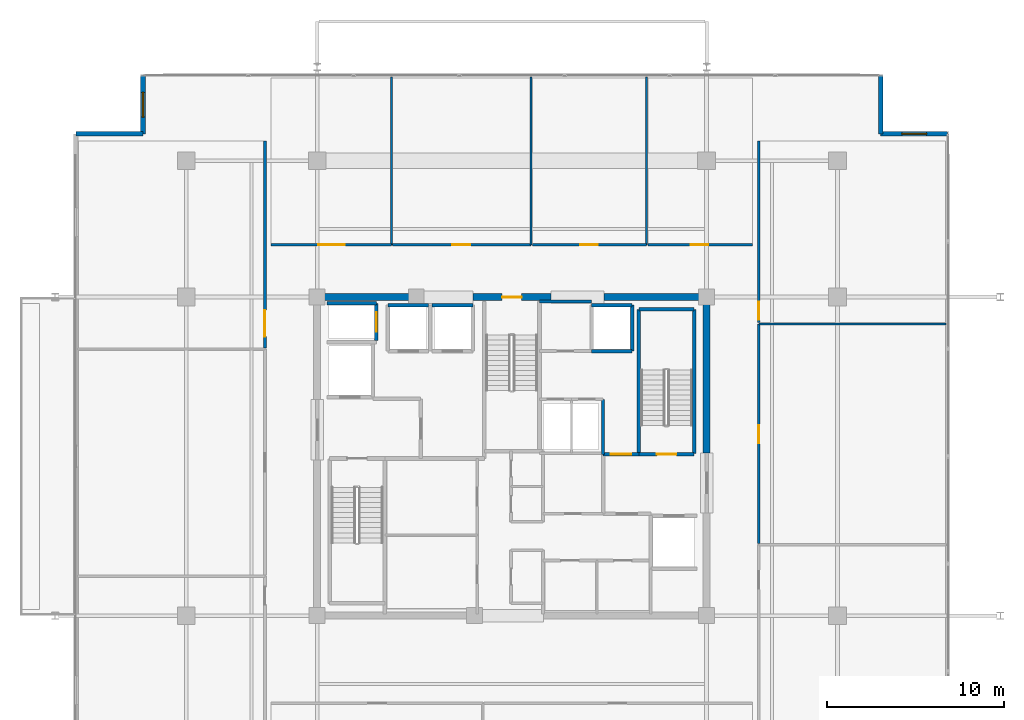
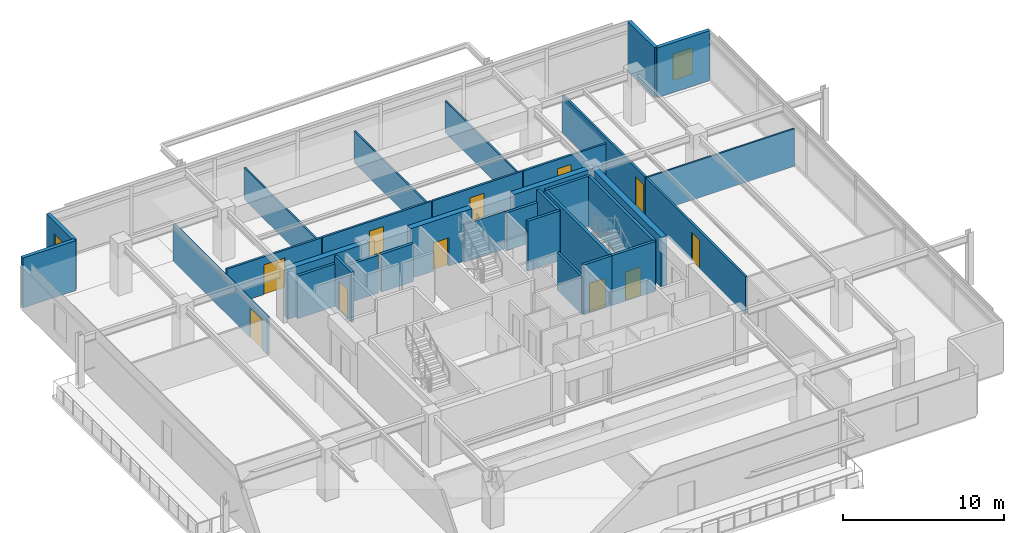
# One storey, part 16 of 21: 33 walls, 11 doors, 2 windows, 13 openings.
"""IFC4 building model written with IfcOpenShell, lengths in metres."""

from ifc_helpers import new_model, si_unit, direction, frame, frame_2d, origin, place, context, subcontext, project, spatial, rectangle, extrude, material, layer, layer_set, type_object, element, fill, save


model = new_model("IFC4")

# Units and contexts
model_context = context("Model", 3, precision=1e-05, world=origin(), true_north=direction((0.0, 1.0)))
body_context = subcontext(model_context, "Body", "Model", "MODEL_VIEW")
ifc_project = project(units=[si_unit("LENGTHUNIT", "METRE"), si_unit("AREAUNIT", "SQUARE_METRE"), si_unit("VOLUMEUNIT", "CUBIC_METRE"), si_unit("PLANEANGLEUNIT", "RADIAN"), si_unit("MASSUNIT", "GRAM", prefix="KILO")], contexts=[model_context])

# Site, building, storey
site_placement = place(None, origin())
site = spatial("IfcSite", under=ifc_project, at=site_placement, CompositionType="ELEMENT")
building_placement = place(site_placement, origin())
building = spatial("IfcBuilding", under=site, at=building_placement, Name="Kovane Verandah Tower", CompositionType="ELEMENT")
storey_placement = place(building_placement, frame((0.0, 0.0, 314.800048828125)))
storey = spatial("IfcBuildingStorey", under=building, at=storey_placement, Name="L73", CompositionType="ELEMENT", Elevation=314.800048828125)

# Walls
ifc_material_1 = material(Name="Fire-Rated Gypsum Stud Partition", Category="gypsum")
ifc_layer_1 = layer(ifc_material_1, 0.14990234375)
ifc_layer_set_1 = layer_set([ifc_layer_1], Name="Fire-Rated Gypsum Stud Partition")
wall_type_1 = type_object("IfcWallType", Name="WL-COR-150", PredefinedType="PARTITIONING", material=ifc_layer_set_1)
wall_1_placement = place(storey_placement, frame((45.14990234375, 27.6201171875, 0.0), z_axis=(0.0, 0.0, 1.0), x_axis=(0.0, 1.0, 0.0)))
element("IfcWall", 1, at=wall_1_placement, inside=storey, type_object=wall_type_1, Name="L73 East Core Service Riser East Wall", PredefinedType="PARTITIONING", context=body_context, shape_type="SweptSolid", body=[
    extrude(rectangle(XDim=3.099853515625, YDim=0.14990234375, at=frame_2d((1.5498046875, 0.0))), origin(), (0.0, 0.0, 1.0), 2.849853515625),
])
wall_2_placement = place(storey_placement, frame((41.56005859375, 36.25, 0.0), z_axis=(0.0, 0.0, 1.0), x_axis=(1.0, 0.0, 0.0)))
element("IfcWall", 2, at=wall_2_placement, inside=storey, type_object=wall_type_1, Name="L73 Sky Telecom Riser North Wall", PredefinedType="PARTITIONING", context=body_context, shape_type="SweptSolid", body=[
    extrude(rectangle(XDim=2.93994140625, YDim=0.14990234375, at=frame_2d((1.469970703125, 0.0))), origin(), (0.0, 0.0, 1.0), 2.849853515625),
])

# Wall, opening, door
wall_3_placement = place(storey_placement, frame((26.39990234375, 39.449951171875, 0.0), z_axis=(0.0, 0.0, 1.0), x_axis=(1.0, 0.0, 0.0)))
wall_3 = element("IfcWall", 3, at=wall_3_placement, inside=storey, type_object=wall_type_1, Name="L73 Client Boardroom N1 Corridor Partition", PredefinedType="PARTITIONING", context=body_context, shape_type="SweptSolid", body=[
    extrude(rectangle(XDim=6.800048828125, YDim=0.14990234375, at=frame_2d((3.39990234375, 0.0))), origin(), (0.0, 0.0, 1.0), 2.849853515625),
])
opening_1_placement = place(wall_3_placement, frame((2.6650390625, 0.0, 0.0)))
opening_1 = element("IfcOpeningElement", 4, at=opening_1_placement, cuts=wall_3, Name="Opening DR-L73-022", PredefinedType="OPENING", context=body_context, shape_type="SweptSolid", body=[
    extrude(rectangle(XDim=1.5, YDim=2.25, at=frame_2d((0.75, 1.125))), frame((0.0, 0.074951171875, 0.0), z_axis=(0.0, -1.0, 0.0), x_axis=(1.0, 0.0, 0.0)), (0.0, 0.0, 1.0), 0.14990234375),
])
ifc_material_2 = material(Name="Glazed Timber Fire-Rated Double Door", Category="wood")
door_type_1 = type_object("IfcDoorType", Name="DR-CONF-1500", OperationType="DOUBLE_DOOR_SINGLE_SWING", PredefinedType="DOOR", material=ifc_material_2)
door_1_placement = place(opening_1_placement, origin())
door_1 = element("IfcDoor", 5, at=door_1_placement, inside=storey, type_object=door_type_1, Name="L73 Client Boardroom N1 Entrance Door", OperationType="DOUBLE_DOOR_SINGLE_SWING", OverallHeight=2.25, OverallWidth=1.5, PredefinedType="DOOR", context=body_context, shape_type="SweptSolid", body=[
    extrude(rectangle(XDim=1.5, YDim=2.25, at=frame_2d((0.75, 1.125))), frame((0.0, 0.02490234375, 0.0), z_axis=(0.0, -1.0, 0.0), x_axis=(1.0, 0.0, 0.0)), (0.0, 0.0, 1.0), 0.050048828125),
])
fill(opening_1, door_1)

wall_4_placement = place(storey_placement, frame((33.27001953125, 39.449951171875, 0.0), z_axis=(0.0, 0.0, 1.0), x_axis=(1.0, 0.0, 0.0)))
wall_4 = element("IfcWall", 6, at=wall_4_placement, inside=storey, type_object=wall_type_1, Name="L73 Meeting Room N2 Corridor Partition", PredefinedType="PARTITIONING", context=body_context, shape_type="SweptSolid", body=[
    extrude(rectangle(XDim=7.81787109375, YDim=0.14990234375, at=frame_2d((3.908935546875, 0.0))), origin(), (0.0, 0.0, 1.0), 2.849853515625),
])
opening_2_placement = place(wall_4_placement, frame((3.3740234375, 0.0, 0.0)))
opening_2 = element("IfcOpeningElement", 7, at=opening_2_placement, cuts=wall_4, Name="Opening DR-L73-023", PredefinedType="OPENING", context=body_context, shape_type="SweptSolid", body=[
    extrude(rectangle(XDim=1.0, YDim=2.14990234375, at=frame_2d((0.5, 1.074951171875))), frame((0.0, 0.074951171875, 0.0), z_axis=(0.0, -1.0, 0.0), x_axis=(1.0, 0.0, 0.0)), (0.0, 0.0, 1.0), 0.14990234375),
])
ifc_material_3 = material(Name="FSC Spotted-Gum Timber Fire-Rated Office Door", Category="wood")
door_type_2 = type_object("IfcDoorType", Name="DR-OFF-1000", OperationType="SINGLE_SWING_LEFT", PredefinedType="DOOR", material=ifc_material_3)
door_2_placement = place(opening_2_placement, origin())
door_2 = element("IfcDoor", 8, at=door_2_placement, inside=storey, type_object=door_type_2, Name="L73 Meeting Room N2 Entrance Door", OperationType="SINGLE_SWING_LEFT", OverallHeight=2.14990234375, OverallWidth=1.0, PredefinedType="DOOR", context=body_context, shape_type="SweptSolid", body=[
    extrude(rectangle(XDim=1.0, YDim=2.14990234375, at=frame_2d((0.5, 1.074951171875))), frame((0.0, 0.02490234375, 0.0), z_axis=(0.0, -1.0, 0.0), x_axis=(1.0, 0.0, 0.0)), (0.0, 0.0, 1.0), 0.050048828125),
])
fill(opening_2, door_2)

wall_5_placement = place(storey_placement, frame((41.157958984375, 39.449951171875, 0.0), z_axis=(0.0, 0.0, 1.0), x_axis=(1.0, 0.0, 0.0)))
wall_5 = element("IfcWall", 9, at=wall_5_placement, inside=storey, type_object=wall_type_1, Name="L73 Focus Studio N3 Corridor Partition", PredefinedType="PARTITIONING", context=body_context, shape_type="SweptSolid", body=[
    extrude(rectangle(XDim=6.4580078125, YDim=0.14990234375, at=frame_2d((3.22900390625, 0.0))), origin(), (0.0, 0.0, 1.0), 2.849853515625),
])
opening_3_placement = place(wall_5_placement, frame((2.694091796875, 0.0, 0.0)))
opening_3 = element("IfcOpeningElement", 10, at=opening_3_placement, cuts=wall_5, Name="Opening DR-L73-024", PredefinedType="OPENING", context=body_context, shape_type="SweptSolid", body=[
    extrude(rectangle(XDim=1.0, YDim=2.14990234375, at=frame_2d((0.5, 1.074951171875))), frame((0.0, 0.074951171875, 0.0), z_axis=(0.0, -1.0, 0.0), x_axis=(1.0, 0.0, 0.0)), (0.0, 0.0, 1.0), 0.14990234375),
])
door_3_placement = place(opening_3_placement, origin())
door_3 = element("IfcDoor", 11, at=door_3_placement, inside=storey, type_object=door_type_2, Name="L73 Focus Studio N3 Entrance Door", OperationType="SINGLE_SWING_RIGHT", OverallHeight=2.14990234375, OverallWidth=1.0, PredefinedType="DOOR", context=body_context, shape_type="SweptSolid", body=[
    extrude(rectangle(XDim=1.0, YDim=2.14990234375, at=frame_2d((0.5, 1.074951171875))), frame((0.0, 0.02490234375, 0.0), z_axis=(0.0, -1.0, 0.0), x_axis=(1.0, 0.0, 0.0)), (0.0, 0.0, 1.0), 0.050048828125),
])
fill(opening_3, door_3)

wall_6_placement = place(storey_placement, frame((47.68603515625, 39.449951171875, 0.0), z_axis=(0.0, 0.0, 1.0), x_axis=(1.0, 0.0, 0.0)))
wall_6 = element("IfcWall", 12, at=wall_6_placement, inside=storey, type_object=wall_type_1, Name="L73 Breakout Pantry N4 Corridor Partition", PredefinedType="PARTITIONING", context=body_context, shape_type="SweptSolid", body=[
    extrude(rectangle(XDim=5.9140625, YDim=0.14990234375, at=frame_2d((2.95703125, 0.0))), origin(), (0.0, 0.0, 1.0), 2.849853515625),
])
opening_4_placement = place(wall_6_placement, frame((2.406982421875, 0.0, 0.0)))
opening_4 = element("IfcOpeningElement", 13, at=opening_4_placement, cuts=wall_6, Name="Opening DR-L73-025", PredefinedType="OPENING", context=body_context, shape_type="SweptSolid", body=[
    extrude(rectangle(XDim=1.0, YDim=2.14990234375, at=frame_2d((0.5, 1.074951171875))), frame((0.0, 0.074951171875, 0.0), z_axis=(0.0, -1.0, 0.0), x_axis=(1.0, 0.0, 0.0)), (0.0, 0.0, 1.0), 0.14990234375),
])
door_4_placement = place(opening_4_placement, origin())
door_4 = element("IfcDoor", 14, at=door_4_placement, inside=storey, type_object=door_type_2, Name="L73 Breakout Pantry N4 Entrance Door", OperationType="SINGLE_SWING_LEFT", OverallHeight=2.14990234375, OverallWidth=1.0, PredefinedType="DOOR", context=body_context, shape_type="SweptSolid", body=[
    extrude(rectangle(XDim=1.0, YDim=2.14990234375, at=frame_2d((0.5, 1.074951171875))), frame((0.0, 0.02490234375, 0.0), z_axis=(0.0, -1.0, 0.0), x_axis=(1.0, 0.0, 0.0)), (0.0, 0.0, 1.0), 0.050048828125),
])
fill(opening_4, door_4)

wall_7_placement = place(storey_placement, frame((26.050048828125, 33.628173828125, 0.0), z_axis=(0.0, 0.0, 1.0), x_axis=(0.0, 1.0, 0.0)))
wall_7 = element("IfcWall", 15, at=wall_7_placement, inside=storey, type_object=wall_type_1, Name="L73 Client Boardroom W3 Corridor Partition", PredefinedType="PARTITIONING", context=body_context, shape_type="SweptSolid", body=[
    extrude(rectangle(XDim=11.68994140625, YDim=0.14990234375, at=frame_2d((5.844970703125, 0.0))), origin(), (0.0, 0.0, 1.0), 2.849853515625),
])
opening_5_placement = place(wall_7_placement, frame((0.635986328125, 0.0, 0.0)))
opening_5 = element("IfcOpeningElement", 16, at=opening_5_placement, cuts=wall_7, Name="Opening DR-L73-033", PredefinedType="OPENING", context=body_context, shape_type="SweptSolid", body=[
    extrude(rectangle(XDim=1.5, YDim=2.25, at=frame_2d((0.75, 1.125))), frame((0.0, 0.074951171875, 0.0), z_axis=(0.0, -1.0, 0.0), x_axis=(1.0, 0.0, 0.0)), (0.0, 0.0, 1.0), 0.14990234375),
])
door_5_placement = place(opening_5_placement, origin())
door_5 = element("IfcDoor", 17, at=door_5_placement, inside=storey, type_object=door_type_1, Name="L73 Client Boardroom W3 Entrance Door", OperationType="DOUBLE_DOOR_SINGLE_SWING", OverallHeight=2.25, OverallWidth=1.5, PredefinedType="DOOR", context=body_context, shape_type="SweptSolid", body=[
    extrude(rectangle(XDim=1.5, YDim=2.25, at=frame_2d((0.75, 1.125))), frame((0.0, 0.02490234375, 0.0), z_axis=(0.0, -1.0, 0.0), x_axis=(1.0, 0.0, 0.0)), (0.0, 0.0, 1.0), 0.050048828125),
])
fill(opening_5, door_5)

wall_8_placement = place(storey_placement, frame((53.949951171875, 22.580810546875, 0.0), z_axis=(0.0, 0.0, 1.0), x_axis=(0.0, 1.0, 0.0)))
wall_8 = element("IfcWall", 18, at=wall_8_placement, inside=storey, type_object=wall_type_1, Name="L73 Focus Studio E2 Corridor Partition", PredefinedType="PARTITIONING", context=body_context, shape_type="SweptSolid", body=[
    extrude(rectangle(XDim=12.40283203125, YDim=0.14990234375, at=frame_2d((6.201416015625, 0.0))), origin(), (0.0, 0.0, 1.0), 2.849853515625),
])
opening_6_placement = place(wall_8_placement, frame((5.66650390625, 0.0, 0.0)))
opening_6 = element("IfcOpeningElement", 19, at=opening_6_placement, cuts=wall_8, Name="Opening DR-L73-012", PredefinedType="OPENING", context=body_context, shape_type="SweptSolid", body=[
    extrude(rectangle(XDim=1.0, YDim=2.14990234375, at=frame_2d((0.5, 1.074951171875))), frame((0.0, 0.074951171875, 0.0), z_axis=(0.0, -1.0, 0.0), x_axis=(1.0, 0.0, 0.0)), (0.0, 0.0, 1.0), 0.14990234375),
])
door_6_placement = place(opening_6_placement, origin())
door_6 = element("IfcDoor", 20, at=door_6_placement, inside=storey, type_object=door_type_2, Name="L73 Focus Studio E2 Entrance Door", OperationType="SINGLE_SWING_RIGHT", OverallHeight=2.14990234375, OverallWidth=1.0, PredefinedType="DOOR", context=body_context, shape_type="SweptSolid", body=[
    extrude(rectangle(XDim=1.0, YDim=2.14990234375, at=frame_2d((0.5, 1.074951171875))), frame((0.0, 0.02490234375, 0.0), z_axis=(0.0, -1.0, 0.0), x_axis=(1.0, 0.0, 0.0)), (0.0, 0.0, 1.0), 0.050048828125),
])
fill(opening_6, door_6)

wall_9_placement = place(storey_placement, frame((53.949951171875, 35.0537109375, 0.0), z_axis=(0.0, 0.0, 1.0), x_axis=(0.0, 1.0, 0.0)))
wall_9 = element("IfcWall", 21, at=wall_9_placement, inside=storey, type_object=wall_type_1, Name="L73 Breakout Pantry E3 Corridor Partition", PredefinedType="PARTITIONING", context=body_context, shape_type="SweptSolid", body=[
    extrude(rectangle(XDim=10.264404296875, YDim=0.14990234375, at=frame_2d((5.13232421875, 0.0))), origin(), (0.0, 0.0, 1.0), 2.849853515625),
])
opening_7_placement = place(wall_9_placement, frame((0.173095703125, 0.0, 0.0)))
opening_7 = element("IfcOpeningElement", 22, at=opening_7_placement, cuts=wall_9, Name="Opening DR-L73-013", PredefinedType="OPENING", context=body_context, shape_type="SweptSolid", body=[
    extrude(rectangle(XDim=1.0, YDim=2.14990234375, at=frame_2d((0.5, 1.074951171875))), frame((0.0, 0.074951171875, 0.0), z_axis=(0.0, -1.0, 0.0), x_axis=(1.0, 0.0, 0.0)), (0.0, 0.0, 1.0), 0.14990234375),
])
door_7_placement = place(opening_7_placement, origin())
door_7 = element("IfcDoor", 23, at=door_7_placement, inside=storey, type_object=door_type_2, Name="L73 Breakout Pantry E3 Entrance Door", OperationType="SINGLE_SWING_LEFT", OverallHeight=2.14990234375, OverallWidth=1.0, PredefinedType="DOOR", context=body_context, shape_type="SweptSolid", body=[
    extrude(rectangle(XDim=1.0, YDim=2.14990234375, at=frame_2d((0.5, 1.074951171875))), frame((0.0, 0.02490234375, 0.0), z_axis=(0.0, -1.0, 0.0), x_axis=(1.0, 0.0, 0.0)), (0.0, 0.0, 1.0), 0.050048828125),
])
fill(opening_7, door_7)

# Wall
ifc_material_4 = material(Name="Concrete C60/75", Category="concrete")
ifc_layer_2 = layer(ifc_material_4, 0.39990234375)
ifc_layer_set_2 = layer_set([ifc_layer_2], Name="Concrete C60/75")
wall_type_2 = type_object("IfcWallType", Name="WL-CORE-400", PredefinedType="SHEAR", material=ifc_layer_set_2)
wall_10_placement = place(storey_placement, frame((29.0, 36.5, 0.0), z_axis=(0.0, 0.0, 1.0), x_axis=(1.0, 0.0, 0.0)))
element("IfcWall", 24, at=wall_10_placement, inside=storey, type_object=wall_type_2, Name="L73 Core Shear Wall CN-1", PredefinedType="SHEAR", context=body_context, shape_type="SweptSolid", body=[
    extrude(rectangle(XDim=5.800048828125, YDim=0.39990234375, at=frame_2d((2.89990234375, 0.0))), origin(), (0.0, 0.0, 1.0), 3.784912109375),
])

# Wall, opening, door
wall_11_placement = place(storey_placement, frame((37.800048828125, 36.5, 0.0), z_axis=(0.0, 0.0, 1.0), x_axis=(1.0, 0.0, 0.0)))
wall_11 = element("IfcWall", 25, at=wall_11_placement, inside=storey, type_object=wall_type_2, Name="L73 Core Shear Wall CN-2", PredefinedType="SHEAR", context=body_context, shape_type="SweptSolid", body=[
    extrude(rectangle(XDim=4.39990234375, YDim=0.39990234375, at=frame_2d((2.199951171875, 0.0))), origin(), (0.0, 0.0, 1.0), 3.784912109375),
])
opening_8_placement = place(wall_11_placement, frame((1.64990234375, 0.0, 0.0)))
opening_8 = element("IfcOpeningElement", 26, at=opening_8_placement, cuts=wall_11, Name="Opening DR-L73-010", PredefinedType="OPENING", context=body_context, shape_type="SweptSolid", body=[
    extrude(rectangle(XDim=1.10009765625, YDim=2.14990234375, at=frame_2d((0.550048828125, 1.074951171875))), frame((0.0, 0.199951171875, 0.0), z_axis=(0.0, -1.0, 0.0), x_axis=(1.0, 0.0, 0.0)), (0.0, 0.0, 1.0), 0.39990234375),
])
ifc_material_5 = material(Name="Fire-Rated Steel Exit Door", Category="steel")
door_type_3 = type_object("IfcDoorType", Name="DR-STAIR-1100", OperationType="SINGLE_SWING_LEFT", PredefinedType="DOOR", material=ifc_material_5)
door_8_placement = place(opening_8_placement, origin())
door_8 = element("IfcDoor", 27, at=door_8_placement, inside=storey, type_object=door_type_3, Name="L73 ST-03 Fire Exit Stair Door", OperationType="SINGLE_SWING_RIGHT", OverallHeight=2.14990234375, OverallWidth=1.10009765625, PredefinedType="DOOR", context=body_context, shape_type="SweptSolid", body=[
    extrude(rectangle(XDim=1.10009765625, YDim=2.14990234375, at=frame_2d((0.550048828125, 1.074951171875))), frame((0.0, 0.02490234375, 0.0), z_axis=(0.0, -1.0, 0.0), x_axis=(1.0, 0.0, 0.0)), (0.0, 0.0, 1.0), 0.050048828125),
])
fill(opening_8, door_8)

# Walls
wall_12_placement = place(storey_placement, frame((45.199951171875, 36.5, 0.0), z_axis=(0.0, 0.0, 1.0), x_axis=(1.0, 0.0, 0.0)))
element("IfcWall", 28, at=wall_12_placement, inside=storey, type_object=wall_type_2, Name="L73 Core Shear Wall CN-3", PredefinedType="SHEAR", context=body_context, shape_type="SweptSolid", body=[
    extrude(rectangle(XDim=5.800048828125, YDim=0.39990234375, at=frame_2d((2.89990234375, 0.0))), origin(), (0.0, 0.0, 1.0), 3.784912109375),
])
wall_13_placement = place(storey_placement, frame((51.0, 27.699951171875, 0.0), z_axis=(0.0, 0.0, 1.0), x_axis=(0.0, 1.0, 0.0)))
element("IfcWall", 29, at=wall_13_placement, inside=storey, type_object=wall_type_2, Name="L73 Core Shear Wall CE-2", PredefinedType="SHEAR", context=body_context, shape_type="SweptSolid", body=[
    extrude(rectangle(XDim=8.800048828125, YDim=0.39990234375, at=frame_2d((4.39990234375, 0.0))), origin(), (0.0, 0.0, 1.0), 3.784912109375),
])

# Wall, opening, door
ifc_material_6 = material(Name="Concrete C45/55 Fire Wall", Category="concrete")
ifc_layer_3 = layer(ifc_material_6, 0.199951171875)
ifc_layer_set_3 = layer_set([ifc_layer_3], Name="Concrete C45/55 Fire Wall")
wall_type_3 = type_object("IfcWallType", Name="WL-FFL-200", PredefinedType="PARTITIONING", material=ifc_layer_set_3)
wall_14_placement = place(storey_placement, frame((45.14990234375, 27.6201171875, 0.0), z_axis=(0.0, 0.0, 1.0), x_axis=(1.0, 0.0, 0.0)))
wall_14 = element("IfcWall", 30, at=wall_14_placement, inside=storey, type_object=wall_type_3, Name="W-L73-FFLE-N", PredefinedType="PARTITIONING", context=body_context, shape_type="SweptSolid", body=[
    extrude(rectangle(XDim=2.030029296875, YDim=0.199951171875, at=frame_2d((1.01513671875, 0.0))), origin(), (0.0, 0.0, 1.0), 3.784912109375),
])
opening_9_placement = place(wall_14_placement, frame((0.43994140625, 0.0, 0.0)))
opening_9 = element("IfcOpeningElement", 31, at=opening_9_placement, cuts=wall_14, Name="Opening DR-L73-004", PredefinedType="OPENING", context=body_context, shape_type="SweptSolid", body=[
    extrude(rectangle(XDim=1.14990234375, YDim=2.199951171875, at=frame_2d((0.574951171875, 1.10009765625))), frame((0.0, 0.10009765625, 0.0), z_axis=(0.0, -1.0, 0.0), x_axis=(1.0, 0.0, 0.0)), (0.0, 0.0, 1.0), 0.199951171875),
])
ifc_material_7 = material(Name="Smoke-Sealed Firefighting Lobby Door", Category="steel")
door_type_4 = type_object("IfcDoorType", Name="DR-FFL-1150", OperationType="SINGLE_SWING_LEFT", PredefinedType="DOOR", material=ifc_material_7)
door_9_placement = place(opening_9_placement, origin())
door_9 = element("IfcDoor", 32, at=door_9_placement, inside=storey, type_object=door_type_4, Name="L73 East Firefighting Lobby Shuttle Link Door", OperationType="SINGLE_SWING_LEFT", OverallHeight=2.199951171875, OverallWidth=1.14990234375, PredefinedType="DOOR", context=body_context, shape_type="SweptSolid", body=[
    extrude(rectangle(XDim=1.14990234375, YDim=2.199951171875, at=frame_2d((0.574951171875, 1.10009765625))), frame((0.0, 0.02490234375, 0.0), z_axis=(0.0, -1.0, 0.0), x_axis=(1.0, 0.0, 0.0)), (0.0, 0.0, 1.0), 0.050048828125),
])
fill(opening_9, door_9)

# Wall
ifc_material_8 = material(Name="Concrete C45/55 Lift Shaft Wall", Category="concrete")
ifc_layer_4 = layer(ifc_material_8, 0.199951171875)
ifc_layer_set_4 = layer_set([ifc_layer_4], Name="Concrete C45/55 Lift Shaft Wall")
wall_type_4 = type_object("IfcWallType", Name="WL-LIFT-200", PredefinedType="SOLIDWALL", material=ifc_layer_set_4)
wall_15_placement = place(storey_placement, frame((32.35009765625, 36.14990234375, 0.0), z_axis=(0.0, 0.0, 1.0), x_axis=(-1.0, 0.0, 0.0)))
element("IfcWall", 33, at=wall_15_placement, inside=storey, type_object=wall_type_4, Name="L73 Lift GL-01 N Shaft Wall", PredefinedType="SOLIDWALL", context=body_context, shape_type="SweptSolid", body=[
    extrude(rectangle(XDim=2.800048828125, YDim=0.199951171875, at=frame_2d((1.39990234375, 0.0))), origin(), (0.0, 0.0, 1.0), 3.220458984375),
])

# Wall, opening, door
wall_16_placement = place(storey_placement, frame((32.35009765625, 34.050048828125, 0.0), z_axis=(0.0, 0.0, 1.0), x_axis=(0.0, 1.0, 0.0)))
wall_16 = element("IfcWall", 34, at=wall_16_placement, inside=storey, type_object=wall_type_4, Name="L73 Lift GL-01 E Shaft Wall", PredefinedType="SOLIDWALL", context=body_context, shape_type="SweptSolid", body=[
    extrude(rectangle(XDim=2.099853515625, YDim=0.199951171875, at=frame_2d((1.0498046875, 0.0))), origin(), (0.0, 0.0, 1.0), 3.784912109375),
])
opening_10_placement = place(wall_16_placement, frame((0.5, 0.0, 0.0)))
opening_10 = element("IfcOpeningElement", 35, at=opening_10_placement, cuts=wall_16, Name="Opening LD-L73-003", PredefinedType="OPENING", context=body_context, shape_type="SweptSolid", body=[
    extrude(rectangle(XDim=1.10009765625, YDim=2.199951171875, at=frame_2d((0.550048828125, 1.10009765625))), frame((0.0, 0.10009765625, 0.0), z_axis=(0.0, -1.0, 0.0), x_axis=(1.0, 0.0, 0.0)), (0.0, 0.0, 1.0), 0.199951171875),
])
ifc_material_9 = material(Name="Brushed Stainless Steel Sliding Lift Landing Door", Category="steel")
door_type_5 = type_object("IfcDoorType", Name="DR-LIFT-1100", OperationType="SLIDING_TO_RIGHT", PredefinedType="DOOR", material=ifc_material_9)
door_10_placement = place(opening_10_placement, origin())
door_10 = element("IfcDoor", 36, at=door_10_placement, inside=storey, type_object=door_type_5, Name="L73 Lift GL-01 Sliding Landing Door", OperationType="SLIDING_TO_RIGHT", OverallHeight=2.199951171875, OverallWidth=1.10009765625, PredefinedType="DOOR", context=body_context, shape_type="SweptSolid", body=[
    extrude(rectangle(XDim=1.10009765625, YDim=2.199951171875, at=frame_2d((0.550048828125, 1.10009765625))), frame((0.0, 0.02490234375, 0.0), z_axis=(0.0, -1.0, 0.0), x_axis=(1.0, 0.0, 0.0)), (0.0, 0.0, 1.0), 0.050048828125),
])
fill(opening_10, door_10)

# Walls
for number, where, z_axis, x_axis, name in (
    (37, (35.300048828125, 36.050048828125, 0.0), (0.0, 0.0, 1.0), (-1.0, 0.0, 0.0), "L73 Lift PL-H1 N Shaft Wall"),
    (38, (37.800048828125, 36.050048828125, 0.0), (0.0, 0.0, 1.0), (-1.0, 0.0, 0.0), "L73 Lift PL-H2 N Shaft Wall"),
):
    element("IfcWall", number, at=place(storey_placement, frame(where, z_axis=z_axis, x_axis=x_axis)), inside=storey, type_object=wall_type_4, Name=name, PredefinedType="SOLIDWALL", context=body_context, shape_type="SweptSolid", body=[
        extrude(rectangle(XDim=2.300048828125, YDim=0.199951171875, at=frame_2d((1.14990234375, 0.0))), origin(), (0.0, 0.0, 1.0), 2.864990234375),
    ])
wall_17_placement = place(storey_placement, frame((44.5, 33.449951171875, 0.0), z_axis=(0.0, 0.0, 1.0), x_axis=(1.0, 0.0, 0.0)))
element("IfcWall", 39, at=wall_17_placement, inside=storey, type_object=wall_type_4, Name="L73 Lift OL-01 S Shaft Wall", PredefinedType="SOLIDWALL", context=body_context, shape_type="SweptSolid", body=[
    extrude(rectangle(XDim=2.300048828125, YDim=0.199951171875, at=frame_2d((1.14990234375, 0.0))), origin(), (0.0, 0.0, 1.0), 3.784912109375),
])
wall_18_placement = place(storey_placement, frame((46.800048828125, 36.050048828125, 0.0), z_axis=(0.0, 0.0, 1.0), x_axis=(-1.0, 0.0, 0.0)))
element("IfcWall", 40, at=wall_18_placement, inside=storey, type_object=wall_type_4, Name="L73 Lift OL-01 N Shaft Wall", PredefinedType="SOLIDWALL", context=body_context, shape_type="SweptSolid", body=[
    extrude(rectangle(XDim=2.300048828125, YDim=0.199951171875, at=frame_2d((1.14990234375, 0.0))), origin(), (0.0, 0.0, 1.0), 2.864990234375),
])
wall_19_placement = place(storey_placement, frame((46.800048828125, 33.449951171875, 0.0), z_axis=(0.0, 0.0, 1.0), x_axis=(0.0, 1.0, 0.0)))
element("IfcWall", 41, at=wall_19_placement, inside=storey, type_object=wall_type_4, Name="L73 Lift OL-01 E Shaft Wall", PredefinedType="SOLIDWALL", context=body_context, shape_type="SweptSolid", body=[
    extrude(rectangle(XDim=2.60009765625, YDim=0.199951171875, at=frame_2d((1.300048828125, 0.0))), origin(), (0.0, 0.0, 1.0), 3.784912109375),
])
ifc_material_10 = material(Name="Acoustic Fire-Rated Gypsum Partition", Category="gypsum")
ifc_layer_5 = layer(ifc_material_10, 0.1201171875)
ifc_layer_set_5 = layer_set([ifc_layer_5], Name="Acoustic Fire-Rated Gypsum Partition")
wall_type_5 = type_object("IfcWallType", Name="WL-PART-120", PredefinedType="PARTITIONING", material=ifc_layer_set_5)
for number, where, z_axis, x_axis, name in (
    (42, (33.199951171875, 39.449951171875, 0.0), (0.0, 0.0, 1.0), (0.0, 1.0, 0.0), "L73 Client Boardroom N1 Dividing Partition"),
    (43, (41.087890625, 39.449951171875, 0.0), (0.0, 0.0, 1.0), (0.0, 1.0, 0.0), "L73 Meeting Room N2 Dividing Partition"),
    (44, (47.615966796875, 39.449951171875, 0.0), (0.0, 0.0, 1.0), (0.0, 1.0, 0.0), "L73 Focus Studio N3 Dividing Partition"),
):
    element("IfcWall", number, at=place(storey_placement, frame(where, z_axis=z_axis, x_axis=x_axis)), inside=storey, type_object=wall_type_5, Name=name, PredefinedType="PARTITIONING", context=body_context, shape_type="SweptSolid", body=[
        extrude(rectangle(XDim=9.46826171875, YDim=0.1201171875, at=frame_2d((4.734130859375, 0.0))), origin(), (0.0, 0.0, 1.0), 2.4150390625),
    ])
wall_20_placement = place(storey_placement, frame((53.949951171875, 34.983642578125, 0.0), z_axis=(0.0, 0.0, 1.0), x_axis=(1.0, 0.0, 0.0)))
element("IfcWall", 45, at=wall_20_placement, inside=storey, type_object=wall_type_5, Name="L73 Focus Studio E2 Dividing Partition", PredefinedType="PARTITIONING", context=body_context, shape_type="SweptSolid", body=[
    extrude(rectangle(XDim=10.58642578125, YDim=0.1201171875, at=frame_2d((5.293212890625, 0.0))), origin(), (0.0, 0.0, 1.0), 2.849853515625),
])
ifc_material_11 = material(Name="Concrete C45/55", Category="concrete")
ifc_layer_6 = layer(ifc_material_11, 0.199951171875)
ifc_layer_set_6 = layer_set([ifc_layer_6], Name="Concrete C45/55")
wall_type_6 = type_object("IfcWallType", Name="WL-SHAFT-200", PredefinedType="SOLIDWALL", material=ifc_layer_set_6)
wall_21_placement = place(storey_placement, frame((50.300048828125, 27.64990234375, 0.0), z_axis=(0.0, 0.0, 1.0), x_axis=(0.0, 1.0, 0.0)))
element("IfcWall", 46, at=wall_21_placement, inside=storey, type_object=wall_type_6, Name="W-L73-ST02-E", PredefinedType="SOLIDWALL", context=body_context, shape_type="SweptSolid", body=[
    extrude(rectangle(XDim=8.150146484375, YDim=0.199951171875, at=frame_2d((4.0751953125, 0.0))), origin(), (0.0, 0.0, 1.0), 3.784912109375),
])
wall_22_placement = place(storey_placement, frame((47.179931640625, 35.800048828125, 0.0), z_axis=(0.0, 0.0, 1.0), x_axis=(1.0, 0.0, 0.0)))
element("IfcWall", 47, at=wall_22_placement, inside=storey, type_object=wall_type_6, Name="W-L73-ST02-N", PredefinedType="SOLIDWALL", context=body_context, shape_type="SweptSolid", body=[
    extrude(rectangle(XDim=3.1201171875, YDim=0.199951171875, at=frame_2d((1.56005859375, 0.0))), origin(), (0.0, 0.0, 1.0), 3.784912109375),
])
wall_23_placement = place(storey_placement, frame((47.179931640625, 27.6201171875, 0.0), z_axis=(0.0, 0.0, 1.0), x_axis=(0.0, 1.0, 0.0)))
element("IfcWall", 48, at=wall_23_placement, inside=storey, type_object=wall_type_6, Name="W-L73-ST02-W", PredefinedType="SOLIDWALL", context=body_context, shape_type="SweptSolid", body=[
    extrude(rectangle(XDim=8.179931640625, YDim=0.199951171875, at=frame_2d((4.08984375, 0.0))), origin(), (0.0, 0.0, 1.0), 3.784912109375),
])

# Wall, opening, door
wall_24_placement = place(storey_placement, frame((47.179931640625, 27.6201171875, 0.0), z_axis=(0.0, 0.0, 1.0), x_axis=(1.0, 0.0, 0.0)))
wall_24 = element("IfcWall", 49, at=wall_24_placement, inside=storey, type_object=wall_type_6, Name="W-L73-ST02-S", PredefinedType="SOLIDWALL", context=body_context, shape_type="SweptSolid", body=[
    extrude(rectangle(XDim=3.1201171875, YDim=0.199951171875, at=frame_2d((1.56005859375, 0.0))), origin(), (0.0, 0.0, 1.0), 3.784912109375),
])
opening_11_placement = place(wall_24_placement, frame((1.010009765625, 0.0, 0.0)))
opening_11 = element("IfcOpeningElement", 50, at=opening_11_placement, cuts=wall_24, Name="Opening DR-L73-009", PredefinedType="OPENING", context=body_context, shape_type="SweptSolid", body=[
    extrude(rectangle(XDim=1.10009765625, YDim=2.14990234375, at=frame_2d((0.550048828125, 1.074951171875))), frame((0.0, 0.10009765625, 0.0), z_axis=(0.0, -1.0, 0.0), x_axis=(1.0, 0.0, 0.0)), (0.0, 0.0, 1.0), 0.199951171875),
])
door_11_placement = place(opening_11_placement, origin())
door_11 = element("IfcDoor", 51, at=door_11_placement, inside=storey, type_object=door_type_3, Name="L73 ST-02 Fire Exit Stair Door", OperationType="SINGLE_SWING_LEFT", OverallHeight=2.14990234375, OverallWidth=1.10009765625, PredefinedType="DOOR", context=body_context, shape_type="SweptSolid", body=[
    extrude(rectangle(XDim=1.10009765625, YDim=2.14990234375, at=frame_2d((0.550048828125, 1.074951171875))), frame((0.0, 0.02490234375, 0.0), z_axis=(0.0, -1.0, 0.0), x_axis=(1.0, 0.0, 0.0)), (0.0, 0.0, 1.0), 0.050048828125),
])
fill(opening_11, door_11)

# Wall, opening, window
ifc_material_12 = material(Name="Concrete C45/55 Insulated Spandrel Wall", Category="concrete")
ifc_layer_7 = layer(ifc_material_12, 0.260009765625)
ifc_layer_set_7 = layer_set([ifc_layer_7], Name="Concrete C45/55 Insulated Spandrel Wall")
wall_type_7 = type_object("IfcWallType", Name="WL-SPANDREL-260", PredefinedType="PARAPET", material=ifc_layer_set_7)
wall_25_placement = place(storey_placement, frame((64.636474609375, 45.71826171875, 0.0), z_axis=(0.0, 0.0, 1.0), x_axis=(-1.0, 0.0, 0.0)))
wall_25 = element("IfcWall", 52, at=wall_25_placement, inside=storey, type_object=wall_type_7, Name="L73 NE Notch Cheek Wall 1", PredefinedType="PARAPET", context=body_context, shape_type="SweptSolid", body=[
    extrude(rectangle(XDim=3.800048828125, YDim=0.260009765625, at=frame_2d((1.89990234375, 0.0))), origin(), (0.0, 0.0, 1.0), 3.784912109375),
])
opening_12_placement = place(wall_25_placement, frame((1.199951171875, 0.0, 0.85009765625)))
opening_12 = element("IfcOpeningElement", 53, at=opening_12_placement, cuts=wall_25, Name="Opening W-01", PredefinedType="OPENING", context=body_context, shape_type="SweptSolid", body=[
    extrude(rectangle(XDim=1.39990234375, YDim=2.0, at=frame_2d((0.699951171875, 1.0))), frame((0.0, 0.1298828125, 0.0), z_axis=(0.0, -1.0, 0.0), x_axis=(1.0, 0.0, 0.0)), (0.0, 0.0, 1.0), 0.260009765625),
])
ifc_material_13 = material(Name="Clear Low-E Laminated Double Glazing in Anodised Frame", Category="glass")
window_type = type_object("IfcWindowType", Name="WN-OPER-1400x2000", PartitioningType="SINGLE_PANEL", PredefinedType="WINDOW", material=ifc_material_13)
window_1_placement = place(opening_12_placement, origin())
window_1 = element("IfcWindow", 54, at=window_1_placement, inside=storey, type_object=window_type, Name="L73 NE Re-Entrant Corner Operable Window", OverallHeight=2.0, OverallWidth=1.39990234375, PartitioningType="SINGLE_PANEL", PredefinedType="WINDOW", context=body_context, shape_type="SweptSolid", body=[
    extrude(rectangle(XDim=1.39990234375, YDim=2.0, at=frame_2d((0.699951171875, 1.0))), frame((0.0, 0.030029296875, 0.0), z_axis=(0.0, -1.0, 0.0), x_axis=(1.0, 0.0, 0.0)), (0.0, 0.0, 1.0), 0.06005859375),
])
fill(opening_12, window_1)

# Wall
wall_26_placement = place(storey_placement, frame((60.83642578125, 45.71826171875, 0.0), z_axis=(0.0, 0.0, 1.0), x_axis=(0.0, 1.0, 0.0)))
element("IfcWall", 55, at=wall_26_placement, inside=storey, type_object=wall_type_7, Name="L73 NE Notch Cheek Wall 2", PredefinedType="PARAPET", context=body_context, shape_type="SweptSolid", body=[
    extrude(rectangle(XDim=3.300048828125, YDim=0.260009765625, at=frame_2d((1.64990234375, 0.0))), origin(), (0.0, 0.0, 1.0), 3.784912109375),
])

# Wall, opening, window
wall_27_placement = place(storey_placement, frame((19.16357421875, 49.018310546875, 0.0), z_axis=(0.0, 0.0, 1.0), x_axis=(0.0, -1.0, 0.0)))
wall_27 = element("IfcWall", 56, at=wall_27_placement, inside=storey, type_object=wall_type_7, Name="L73 NW Notch Cheek Wall 1", PredefinedType="PARAPET", context=body_context, shape_type="SweptSolid", body=[
    extrude(rectangle(XDim=3.300048828125, YDim=0.260009765625, at=frame_2d((1.64990234375, 0.0))), origin(), (0.0, 0.0, 1.0), 3.784912109375),
])
opening_13_placement = place(wall_27_placement, frame((0.949951171875, 0.0, 0.85009765625)))
opening_13 = element("IfcOpeningElement", 57, at=opening_13_placement, cuts=wall_27, Name="Opening W-01", PredefinedType="OPENING", context=body_context, shape_type="SweptSolid", body=[
    extrude(rectangle(XDim=1.39990234375, YDim=2.0, at=frame_2d((0.699951171875, 1.0))), frame((0.0, 0.1298828125, 0.0), z_axis=(0.0, -1.0, 0.0), x_axis=(1.0, 0.0, 0.0)), (0.0, 0.0, 1.0), 0.260009765625),
])
window_2_placement = place(opening_13_placement, origin())
window_2 = element("IfcWindow", 58, at=window_2_placement, inside=storey, type_object=window_type, Name="L73 NW Re-Entrant Corner Operable Window", OverallHeight=2.0, OverallWidth=1.39990234375, PartitioningType="SINGLE_PANEL", PredefinedType="WINDOW", context=body_context, shape_type="SweptSolid", body=[
    extrude(rectangle(XDim=1.39990234375, YDim=2.0, at=frame_2d((0.699951171875, 1.0))), frame((0.0, 0.030029296875, 0.0), z_axis=(0.0, -1.0, 0.0), x_axis=(1.0, 0.0, 0.0)), (0.0, 0.0, 1.0), 0.06005859375),
])
fill(opening_13, window_2)

# Wall
wall_28_placement = place(storey_placement, frame((19.16357421875, 45.71826171875, 0.0), z_axis=(0.0, 0.0, 1.0), x_axis=(-1.0, 0.0, 0.0)))
element("IfcWall", 59, at=wall_28_placement, inside=storey, type_object=wall_type_7, Name="L73 NW Notch Cheek Wall 2", PredefinedType="PARAPET", context=body_context, shape_type="SweptSolid", body=[
    extrude(rectangle(XDim=3.800048828125, YDim=0.260009765625, at=frame_2d((1.89990234375, 0.0))), origin(), (0.0, 0.0, 1.0), 3.784912109375),
])

save(model, "model.ifc")
